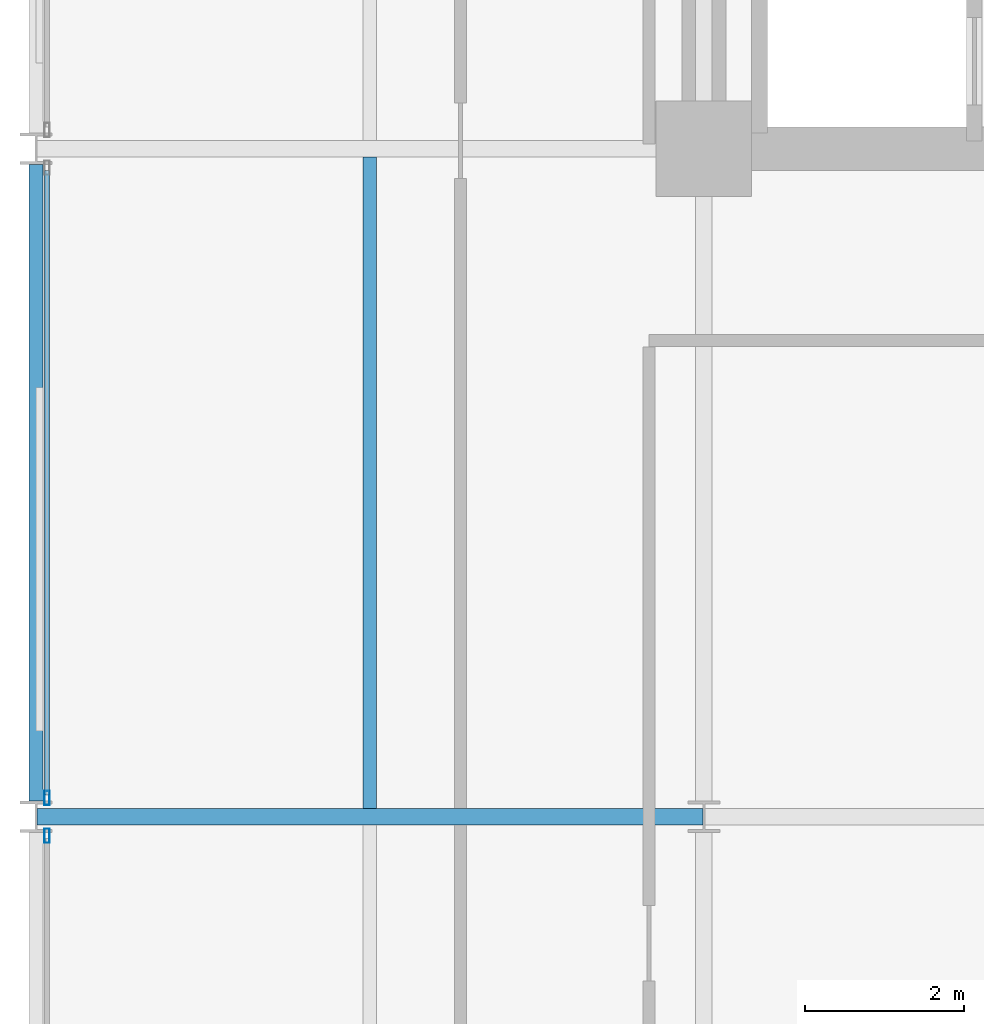
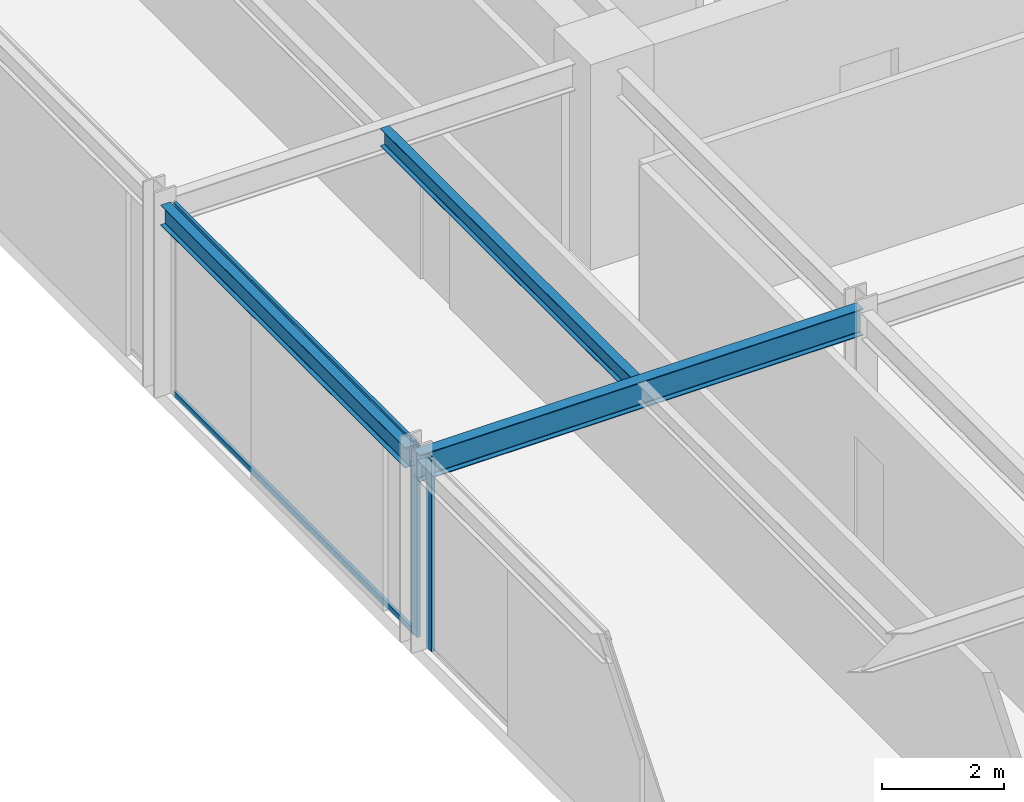
# One storey, part 11 of 38: 4 members, 3 beams, 2 elements without a shape of their own.
"""IFC4 building model written with IfcOpenShell, lengths in metres."""

from ifc_helpers import new_model, si_unit, direction, frame, origin, origin_2d, place, context, subcontext, project, spatial, hollow_rectangle, i_section, extrude, material, layer, layer_set, material_profile, profile_set, type_object, element, aggregate, save


model = new_model("IFC4")

# Units and contexts
model_context = context("Model", 3, precision=1e-05, world=origin(), true_north=direction((0.0, 1.0)))
body_context = subcontext(model_context, "Body", "Model", "MODEL_VIEW")
ifc_project = project(units=[si_unit("LENGTHUNIT", "METRE"), si_unit("AREAUNIT", "SQUARE_METRE"), si_unit("VOLUMEUNIT", "CUBIC_METRE"), si_unit("PLANEANGLEUNIT", "RADIAN"), si_unit("MASSUNIT", "GRAM", prefix="KILO")], contexts=[model_context])

# Site, building, storey
site_placement = place(None, origin())
site = spatial("IfcSite", under=ifc_project, at=site_placement, CompositionType="ELEMENT")
building_placement = place(site_placement, origin())
building = spatial("IfcBuilding", under=site, at=building_placement, Name="Nerrivon Quay Data Exchange", CompositionType="ELEMENT")
storey_placement = place(building_placement, frame((0.0, 0.0, 84.39990234375)))
storey = spatial("IfcBuildingStorey", under=building, at=storey_placement, Name="L19", CompositionType="ELEMENT", Elevation=84.39990234375)

# Beams
ifc_material_1 = material(Name="Steel Grade 350", Category="steel")
ifc_material_profile_1 = material_profile(ifc_material_1, i_section(OverallWidth=0.208984375, OverallDepth=0.532958984375, WebThickness=0.01025390625, FlangeThickness=0.015625, FilletRadius=0.013916015625, at=origin_2d()), Name="530UB92.4")
ifc_profile_set_1 = profile_set([ifc_material_profile_1], Name="Steel Grade 350")
beam_type_1 = type_object("IfcBeamType", Name="BM-G3-530UB92", PredefinedType="BEAM", material=ifc_profile_set_1)
beam_1_placement = place(storey_placement, frame((0.012451171875, 16.800048828125, 3.55859375), z_axis=(1.0, 0.0, 0.0), x_axis=(0.0, 1.0, 0.0)))
element("IfcBeam", 1, at=beam_1_placement, inside=storey, type_object=beam_type_1, Name="L19 EW Girder Y=16.8 (0.0..8.4)", PredefinedType="BEAM", context=body_context, shape_type="SweptSolid", body=[
    extrude(i_section(OverallWidth=0.208984375, OverallDepth=0.532958984375, WebThickness=0.01025390625, FlangeThickness=0.015625, FilletRadius=0.013916015625, at=origin_2d()), origin(), (0.0, 0.0, 1.0), 8.375),
])
ifc_material_profile_2 = material_profile(ifc_material_1, i_section(OverallWidth=0.1708984375, OverallDepth=0.35595703125, WebThickness=0.00732421875, FlangeThickness=0.011474609375, FilletRadius=0.011474609375, at=origin_2d()), Name="360UB50.7")
ifc_profile_set_2 = profile_set([ifc_material_profile_2], Name="Steel Grade 350")
beam_type_2 = type_object("IfcBeamType", Name="BM-J4-360UB51", PredefinedType="JOIST", material=ifc_profile_set_2)
beam_2_placement = place(storey_placement, frame((4.199951171875, 16.904541015625, 3.647216796875), z_axis=(0.0, 1.0, 0.0), x_axis=(-1.0, 0.0, 0.0)))
element("IfcBeam", 2, at=beam_2_placement, inside=storey, type_object=beam_type_2, Name="L19 Secondary Joist X=4.2 (16.8..25.2)", PredefinedType="JOIST", context=body_context, shape_type="SweptSolid", body=[
    extrude(i_section(OverallWidth=0.1708984375, OverallDepth=0.35595703125, WebThickness=0.00732421875, FlangeThickness=0.011474609375, FilletRadius=0.011474609375, at=origin_2d()), origin(), (0.0, 0.0, 1.0), 8.19091796875),
])
ifc_material_profile_3 = material_profile(ifc_material_1, i_section(OverallWidth=0.177978515625, OverallDepth=0.403076171875, WebThickness=0.007568359375, FlangeThickness=0.010986328125, FilletRadius=0.011474609375, at=origin_2d()), Name="410UB53.7")
ifc_profile_set_3 = profile_set([ifc_material_profile_3], Name="Steel Grade 350")
beam_type_3 = type_object("IfcBeamType", Name="BM-SP2-410UB54", PredefinedType="SPANDREL", material=ifc_profile_set_3)
beam_3_placement = place(storey_placement, frame((0.0, 17.0, 3.62353515625), z_axis=(0.0, 1.0, 0.0), x_axis=(-1.0, 0.0, 0.0)))
element("IfcBeam", 3, at=beam_3_placement, inside=storey, type_object=beam_type_3, Name="L19 NS Girder X=0.0 (16.8..25.2)", PredefinedType="SPANDREL", context=body_context, shape_type="SweptSolid", body=[
    extrude(i_section(OverallWidth=0.177978515625, OverallDepth=0.403076171875, WebThickness=0.007568359375, FlangeThickness=0.010986328125, FilletRadius=0.011474609375, at=origin_2d()), origin(), (0.0, 0.0, 1.0), 8.0),
])

# Curtain wall, member
ifc_material_2 = material(Name="Anodised aluminium 6063-T6", Category="aluminium")
ifc_layer = layer(ifc_material_2, 0.2099609375)
ifc_layer_set = layer_set([ifc_layer], Name="Anodised aluminium 6063-T6")
curtain_wall_type = type_object("IfcCurtainWallType", Name="CW-SYS-02", PredefinedType="NOTDEFINED", material=ifc_layer_set)
curtain_wall_1_placement = place(storey_placement, origin())
curtain_wall_1 = element("IfcCurtainWall", 4, at=curtain_wall_1_placement, inside=storey, type_object=curtain_wall_type, Name="L19 Unitised Curtain Wall 18", PredefinedType="NOTDEFINED")
ifc_material_profile_4 = material_profile(ifc_material_2, hollow_rectangle(XDim=0.06494140625, YDim=0.179931640625, WallThickness=0.00341796875, at=origin_2d()), Name="ALU-MULL-180x65")
ifc_profile_set_4 = profile_set([ifc_material_profile_4], Name="Anodised aluminium 6063-T6")
member_type_1 = type_object("IfcMemberType", Name="CWM-180x65", PredefinedType="MULLION", material=ifc_profile_set_4)
member_1_placement = place(storey_placement, frame((0.139892578125, 16.5625, 0.0), z_axis=(0.0, 0.0, 1.0), x_axis=(-1.0, 0.0, 0.0)))
member_1 = element("IfcMember", 5, at=member_1_placement, type_object=member_type_1, Name="CW02 mullion 2", PredefinedType="MULLION", context=body_context, shape_type="SweptSolid", body=[
    extrude(hollow_rectangle(XDim=0.06494140625, YDim=0.179931640625, WallThickness=0.00341796875, at=origin_2d()), origin(), (0.0, 0.0, 1.0), 3.8251953125),
])
aggregate(curtain_wall_1, [member_1])

# Curtain wall, members
curtain_wall_2_placement = place(storey_placement, origin())
curtain_wall_2 = element("IfcCurtainWall", 6, at=curtain_wall_2_placement, inside=storey, type_object=curtain_wall_type, Name="L19 Unitised Curtain Wall 19", PredefinedType="NOTDEFINED")
member_2_placement = place(storey_placement, frame((0.139892578125, 17.03759765625, 0.0), z_axis=(0.0, 0.0, 1.0), x_axis=(-1.0, 0.0, 0.0)))
member_2 = element("IfcMember", 7, at=member_2_placement, type_object=member_type_1, Name="CW02 mullion 1", PredefinedType="MULLION", context=body_context, shape_type="SweptSolid", body=[
    extrude(hollow_rectangle(XDim=0.06494140625, YDim=0.179931640625, WallThickness=0.00341796875, at=origin_2d()), origin(), (0.0, 0.0, 1.0), 3.8251953125),
])
ifc_material_profile_5 = material_profile(ifc_material_2, hollow_rectangle(XDim=0.06005859375, YDim=0.1201171875, WallThickness=0.003173828125, at=origin_2d()), Name="ALU-TRAN-120x60")
ifc_profile_set_5 = profile_set([ifc_material_profile_5], Name="Anodised aluminium 6063-T6")
member_type_2 = type_object("IfcMemberType", Name="CWT-120x60", PredefinedType="USERDEFINED", material=ifc_profile_set_5)
member_3_placement = place(storey_placement, frame((0.139892578125, 17.074951171875, 0.03271484375), z_axis=(0.0, 1.0, 0.0), x_axis=(-1.0, 0.0, 0.0)))
member_3 = element("IfcMember", 8, at=member_3_placement, type_object=member_type_2, Name="CW02 transom 1.1", ObjectType="TRANSOM", PredefinedType="USERDEFINED", context=body_context, shape_type="SweptSolid", body=[
    extrude(hollow_rectangle(XDim=0.06005859375, YDim=0.1201171875, WallThickness=0.003173828125, at=origin_2d()), origin(), (0.0, 0.0, 1.0), 7.85009765625),
])
member_4_placement = place(storey_placement, frame((0.139892578125, 17.074951171875, 3.79248046875), z_axis=(0.0, 1.0, 0.0), x_axis=(-1.0, 0.0, 0.0)))
member_4 = element("IfcMember", 9, at=member_4_placement, type_object=member_type_2, Name="CW02 transom 1.2", ObjectType="TRANSOM", PredefinedType="USERDEFINED", context=body_context, shape_type="SweptSolid", body=[
    extrude(hollow_rectangle(XDim=0.06005859375, YDim=0.1201171875, WallThickness=0.003173828125, at=origin_2d()), origin(), (0.0, 0.0, 1.0), 7.85009765625),
])
aggregate(curtain_wall_2, [member_2, member_3, member_4])

save(model, "model.ifc")
